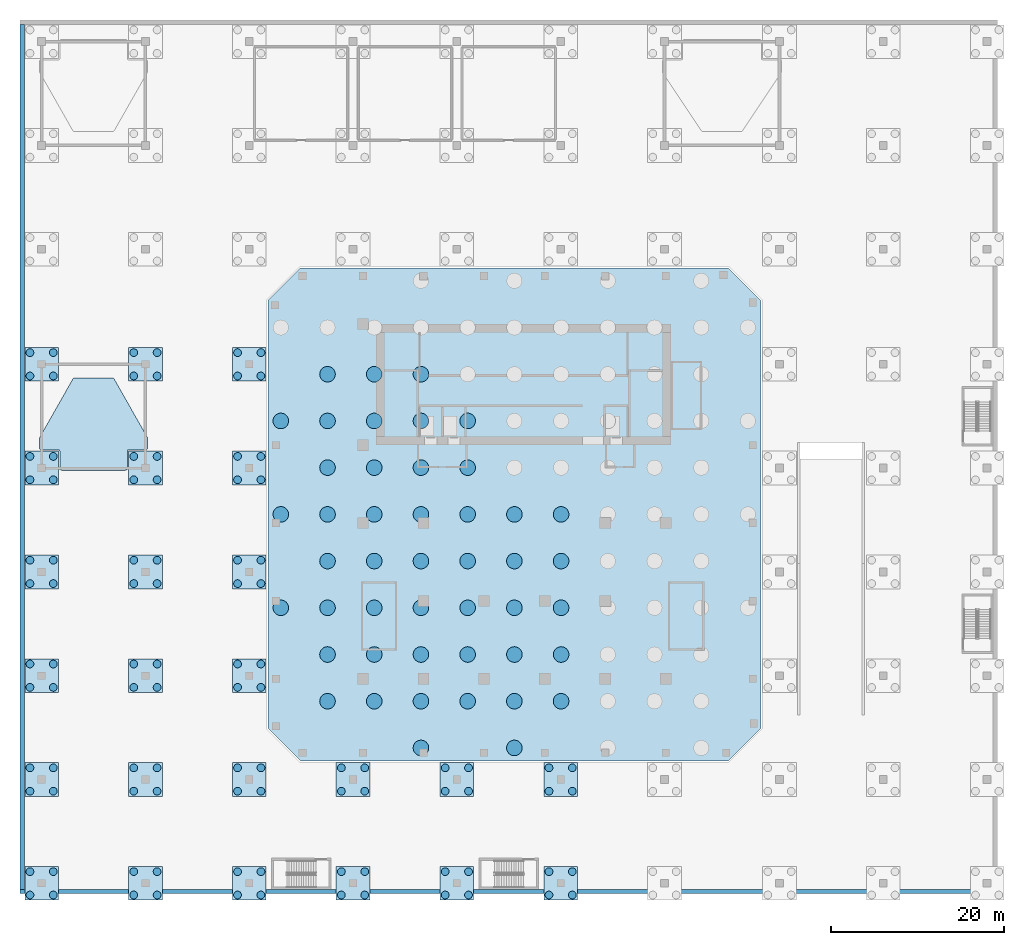
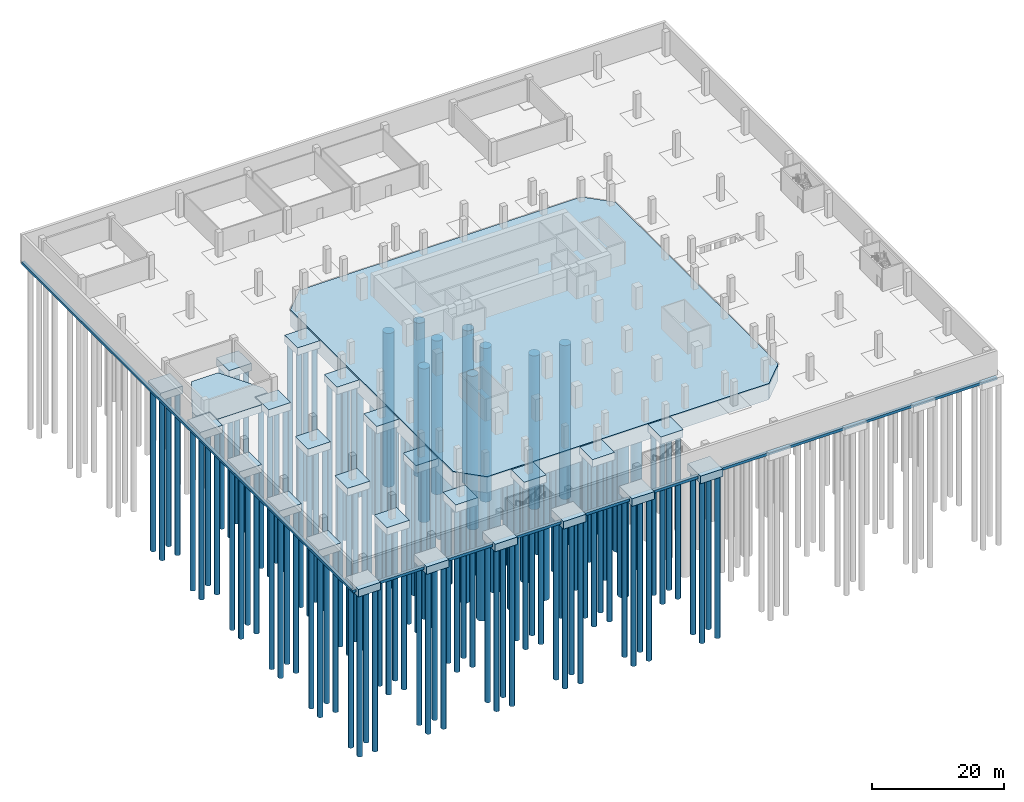
# One storey, part 1 of 15: 142 piles, 28 footings.
"""IFC4 building model written with IfcOpenShell, lengths in metres."""

import ifcopenshell
import ifcopenshell.guid

model = None  # the IFC model being written
_history = None  # IfcOwnerHistory: only IFC2X3 demands one
_inside = {}  # id of a spatial element -> (the spatial element, [elements in it])
_under = {}  # id of a project, library or spatial element -> (it, [spatial elements below it])
_declared = {}  # id of a project -> (the project, [libraries it declares])
_typed = {}  # id of a type object -> (the type object, [elements of that type])
_made_of = {}  # id of a material, layer set ... -> (it, [elements and type objects made of it])


def new_model(schema):
    """Start an empty IFC model of exactly this schema.

    Asked for "IFC4X3", IfcOpenShell would pick the latest addendum, in which some entities
    have other attributes; the version numbers below select the first issue.
    IFC2X3 requires an IfcOwnerHistory on every rooted entity: one is made here for all.
    """
    global model, _history
    if schema == "IFC4X3":
        model = ifcopenshell.file(schema_version=(4, 3, 0, 0))
    else:
        model = ifcopenshell.file(schema=schema)
    _inside.clear()
    _under.clear()
    _declared.clear()
    _typed.clear()
    _made_of.clear()
    _history = None
    if model.schema == "IFC2X3":
        org = make("IfcOrganization", Name="unknown")
        user = make(
            "IfcPersonAndOrganization",
            ThePerson=make("IfcPerson", FamilyName="unknown"),
            TheOrganization=org,
        )
        app = make(
            "IfcApplication",
            ApplicationDeveloper=org,
            Version="unknown",
            ApplicationFullName="unknown",
            ApplicationIdentifier="unknown",
        )
        _history = make(
            "IfcOwnerHistory",
            OwningUser=user,
            OwningApplication=app,
            ChangeAction="ADDED",
            CreationDate=0,
        )
    return model


def make(cls, **values):
    """One entity of the class cls with the attributes given. An attribute that is None is left unset."""
    return model.create_entity(
        cls, **{name: value for name, value in values.items() if value is not None}
    )


def rooted(cls, **values):
    """An entity with a GlobalId (a new one), such as an element, a storey or a relation."""
    return make(cls, GlobalId=ifcopenshell.guid.new(), OwnerHistory=_history, **values)


def si_unit(unit_type, name, prefix=None):
    """IfcSIUnit, for example si_unit("LENGTHUNIT", "METRE", prefix="MILLI")."""
    return make("IfcSIUnit", UnitType=unit_type, Prefix=prefix, Name=name)


def assignment(units):
    """IfcUnitAssignment: the units of a project."""
    return None if units is None else make("IfcUnitAssignment", Units=units)


def point(xyz):
    """IfcCartesianPoint."""
    return None if xyz is None else make("IfcCartesianPoint", Coordinates=xyz)


def direction(xyz):
    """IfcDirection."""
    return None if xyz is None else make("IfcDirection", DirectionRatios=xyz)


def frame(location, z_axis=None, x_axis=None):
    """IfcAxis2Placement3D, a coordinate frame: its origin and axes. An axis left out is left unset."""
    return make(
        "IfcAxis2Placement3D",
        Location=point(location),
        Axis=direction(z_axis),
        RefDirection=direction(x_axis),
    )


def frame_2d(location, x_axis=None):
    """IfcAxis2Placement2D, a coordinate frame in the plane: its origin and x axis."""
    return make(
        "IfcAxis2Placement2D", Location=point(location), RefDirection=direction(x_axis)
    )


def origin():
    """The frame at (0, 0, 0) with its axes left unset."""
    return frame((0.0, 0.0, 0.0))


def origin_2d():
    """The frame at (0, 0) in the plane with its x axis left unset."""
    return frame_2d((0.0, 0.0))


def place(relative_to, where):
    """IfcLocalPlacement: puts the frame where relative to a parent placement (None: the world)."""
    return make(
        "IfcLocalPlacement", PlacementRelTo=relative_to, RelativePlacement=where
    )


def context(
    kind, dimensions, precision=None, world=None, true_north=None, identifier=None
):
    """IfcGeometricRepresentationContext, for example the 3D "Model" context."""
    return make(
        "IfcGeometricRepresentationContext",
        ContextIdentifier=identifier,
        ContextType=kind,
        CoordinateSpaceDimension=dimensions,
        Precision=precision,
        WorldCoordinateSystem=world,
        TrueNorth=true_north,
    )


def subcontext(parent, identifier, kind, view, scale=None):
    """IfcGeometricRepresentationSubContext, for example "Body" below "Model"."""
    return make(
        "IfcGeometricRepresentationSubContext",
        ContextIdentifier=identifier,
        ContextType=kind,
        ParentContext=parent,
        TargetScale=scale,
        TargetView=view,
    )


def project(units=None, contexts=None):
    """IfcProject with its units and contexts."""
    return rooted(
        "IfcProject",
        Name="project",
        RepresentationContexts=contexts,
        UnitsInContext=assignment(units),
    )


def spatial(cls, under=None, at=None, **own):
    """A site, building, storey or space (cls), placed at a placement, below another one or the project."""
    s = rooted(cls, ObjectPlacement=at, **own)
    if under is not None:
        _under.setdefault(under.id(), (under, []))[1].append(s)
    return s


def polyline(points):
    """IfcPolyline through the points."""
    return make("IfcPolyline", Points=[point(p) for p in points])


def profile(cls, at=None, kind="AREA", **sizes):
    """A parametric profile (cls). Its sizes go by their IFC names, for example OverallWidth=200.0."""
    return make(cls, ProfileType=kind, Position=at, **sizes)


def rectangle(**sizes):
    """IfcRectangleProfileDef."""
    return profile("IfcRectangleProfileDef", **sizes)


def circle(**sizes):
    """IfcCircleProfileDef."""
    return profile("IfcCircleProfileDef", **sizes)


def outline(outer, holes=None, kind="AREA"):
    """IfcArbitraryClosedProfileDef: a profile drawn as a closed curve; with holes, ...WithVoids."""
    if holes is None:
        return make("IfcArbitraryClosedProfileDef", ProfileType=kind, OuterCurve=outer)
    return make(
        "IfcArbitraryProfileDefWithVoids",
        ProfileType=kind,
        OuterCurve=outer,
        InnerCurves=holes,
    )


def extrude(swept, where, along, depth):
    """IfcExtrudedAreaSolid: the profile swept, set in the frame where, extruded along a direction by depth."""
    return make(
        "IfcExtrudedAreaSolid",
        SweptArea=swept,
        Position=where,
        ExtrudedDirection=direction(along),
        Depth=depth,
    )


def shape(context_of_items, identifier, shape_type, items):
    """IfcShapeRepresentation: the items that make up one representation, for example the "Body"."""
    return make(
        "IfcShapeRepresentation",
        ContextOfItems=context_of_items,
        RepresentationIdentifier=identifier,
        RepresentationType=shape_type,
        Items=items,
    )


def source(mapping_origin, context_of_items, identifier, shape_type, items):
    """IfcRepresentationMap: a shape defined once, which mapped items show again and again."""
    return make(
        "IfcRepresentationMap",
        MappingOrigin=mapping_origin,
        MappedRepresentation=shape(context_of_items, identifier, shape_type, items),
    )


def transform(
    local_origin,
    x_axis=None,
    y_axis=None,
    z_axis=None,
    scale=None,
    scale2=None,
    scale3=None,
    uniform=True,
):
    """IfcCartesianTransformationOperator3D, or its non-uniform kind. x_axis, y_axis, z_axis: its Axis1, 2, 3."""
    if uniform:
        return make(
            "IfcCartesianTransformationOperator3D",
            Axis1=direction(x_axis),
            Axis2=direction(y_axis),
            LocalOrigin=point(local_origin),
            Scale=scale,
            Axis3=direction(z_axis),
        )
    return make(
        "IfcCartesianTransformationOperator3DnonUniform",
        Axis1=direction(x_axis),
        Axis2=direction(y_axis),
        LocalOrigin=point(local_origin),
        Scale=scale,
        Axis3=direction(z_axis),
        Scale2=scale2,
        Scale3=scale3,
    )


def mapped(mapping_source, mapping_target):
    """IfcMappedItem: shows the shape of a source again, moved by a transform."""
    return make(
        "IfcMappedItem", MappingSource=mapping_source, MappingTarget=mapping_target
    )


def material(Name=None, Category=None):
    """IfcMaterial."""
    return make("IfcMaterial", Name=Name, Category=Category)


def layer(
    of_material, thickness, ventilated=None, Name=None, Category=None, Priority=None
):
    """IfcMaterialLayer: one layer of a wall or slab, of a material (None: an air gap)."""
    return make(
        "IfcMaterialLayer",
        Material=of_material,
        LayerThickness=thickness,
        IsVentilated=ventilated,
        Name=Name,
        Category=Category,
        Priority=Priority,
    )


def layer_set(layers, Name=None):
    """IfcMaterialLayerSet."""
    return make("IfcMaterialLayerSet", MaterialLayers=layers, LayerSetName=Name)


def material_profile(
    of_material, cross_section, Name=None, Category=None, Priority=None
):
    """IfcMaterialProfile: a cross section and its material."""
    return make(
        "IfcMaterialProfile",
        Name=Name,
        Material=of_material,
        Profile=cross_section,
        Priority=Priority,
        Category=Category,
    )


def profile_set(profiles, Name=None, composite=None):
    """IfcMaterialProfileSet."""
    return make(
        "IfcMaterialProfileSet",
        Name=Name,
        MaterialProfiles=profiles,
        CompositeProfile=composite,
    )


def made_of(thing, what):
    """Note that an element or type object is made of a material, layer set ...; save() writes the relation."""
    if what is not None:
        _made_of.setdefault(what.id(), (what, []))[1].append(thing)
    return thing


def type_object(cls, material=None, **own):
    """A type object (cls), such as IfcWallType, which elements share."""
    return made_of(rooted(cls, **own), material)


def element(
    cls,
    number,
    at=None,
    inside=None,
    cuts=None,
    type_object=None,
    material=None,
    context=None,
    identifier="Body",
    shape_type=None,
    held_by="IfcProductDefinitionShape",
    body=None,
    shapes=None,
    **own,
):
    """One element of the class cls, such as IfcWall. Its Tag is "e" and its number.

    at: its placement. inside: the storey or other place that contains it. cuts: it is an
    opening in that element (IfcRelVoidsElement). A single representation is given by context,
    identifier, shape_type and body (its items); several are given by shapes. held_by: the class
    of the entity that holds the representations. save() writes the other relations.
    """
    e = rooted(cls, Tag="e%d" % number, ObjectPlacement=at, **own)
    if body is not None:
        shapes = [shape(context, identifier, shape_type, body)]
    if shapes is not None:
        e.Representation = make(held_by, Representations=shapes)
    if inside is not None:
        _inside.setdefault(inside.id(), (inside, []))[1].append(e)
    if cuts is not None:
        rooted(
            "IfcRelVoidsElement", RelatingBuildingElement=cuts, RelatedOpeningElement=e
        )
    if type_object is not None:
        _typed.setdefault(type_object.id(), (type_object, []))[1].append(e)
    return made_of(e, material)


def aggregate(whole, parts):
    """IfcRelAggregates: a whole, such as a stair, and the parts it consists of."""
    return rooted("IfcRelAggregates", RelatingObject=whole, RelatedObjects=parts)


def save(model, path):
    """Write the relations noted so far, then the file.

    IfcRelAggregates (storeys below a building ...), IfcRelContainedInSpatialStructure (elements
    in a storey), IfcRelDefinesByType, IfcRelAssociatesMaterial and IfcRelDeclares: one each for
    every whole, place, type object, material and project.
    """
    for whole, parts in _under.values():
        aggregate(whole, parts)
    for where, things in _inside.values():
        rooted(
            "IfcRelContainedInSpatialStructure",
            RelatedElements=things,
            RelatingStructure=where,
        )
    for kind, things in _typed.values():
        rooted("IfcRelDefinesByType", RelatedObjects=things, RelatingType=kind)
    for what, things in _made_of.values():
        rooted("IfcRelAssociatesMaterial", RelatedObjects=things, RelatingMaterial=what)
    for by, libraries in _declared.values():
        rooted("IfcRelDeclares", RelatingContext=by, RelatedDefinitions=libraries)
    model.write(path)


model = new_model("IFC4")

# Units and contexts
model_context = context("Model", 3, precision=1e-05, world=origin(), true_north=direction((0.0, 1.0)))
body_context = subcontext(model_context, "Body", "Model", "MODEL_VIEW")
ifc_project = project(units=[si_unit("LENGTHUNIT", "METRE"), si_unit("AREAUNIT", "SQUARE_METRE"), si_unit("VOLUMEUNIT", "CUBIC_METRE"), si_unit("PLANEANGLEUNIT", "RADIAN"), si_unit("MASSUNIT", "GRAM", prefix="KILO")], contexts=[model_context])

# Site, building, storey
site_placement = place(None, origin())
site = spatial("IfcSite", under=ifc_project, at=site_placement, CompositionType="ELEMENT")
building_placement = place(site_placement, origin())
building = spatial("IfcBuilding", under=site, at=building_placement, Name="Kilnfold Tower and Market Hall", CompositionType="ELEMENT")
storey_placement = place(building_placement, frame((0.0, 0.0, -9.0)))
storey = spatial("IfcBuildingStorey", under=building, at=storey_placement, Name="B2", CompositionType="ELEMENT", Elevation=-9.0)

# Footing
ifc_material_1 = material(Name="Concrete C45", Category="concrete")
ifc_layer_1 = layer(ifc_material_1, 3.0)
ifc_layer_set_1 = layer_set([ifc_layer_1], Name="Concrete C45")
footing_type_1 = type_object("IfcFootingType", Name="RAFT", PredefinedType="USERDEFINED", material=ifc_layer_set_1)
shared_shape_1 = source(origin(), body_context, "Body", "SweptSolid", [
    extrude(outline(polyline([(-24.70703125, -28.5), (24.70703125, -28.5), (28.5, -24.70703125), (28.5, 24.70703125), (24.70703125, 28.5), (-24.70703125, 28.5), (-28.5, 24.70703125), (-28.5, -24.70703125), (-24.70703125, -28.5)])), origin(), (0.0, 0.0, 1.0), 3.0),
])
footing_1_placement = place(storey_placement, frame((0.0, 0.0, -3.0)))
element("IfcFooting", 1, at=footing_1_placement, inside=storey, type_object=footing_type_1, Name="Raft foundation", ObjectType="RAFT", PredefinedType="USERDEFINED", context=body_context, shape_type="MappedRepresentation", body=[
    mapped(shared_shape_1, transform((0.0, 0.0, 0.0))),
])

# Piles
ifc_material_2 = material(Name="Concrete C40", Category="concrete")
ifc_material_profile_1 = material_profile(ifc_material_2, circle(Radius=0.89990234375, at=origin_2d()), Name="RC D1800")
ifc_profile_set_1 = profile_set([ifc_material_profile_1], Name="Concrete C40")
pile_type_1 = type_object("IfcPileType", Name="BORED PILE D1800", PredefinedType="BORED", material=ifc_profile_set_1)
shared_shape_2 = source(origin(), body_context, "Body", "SweptSolid", [
    extrude(circle(Radius=0.89990234375, at=origin_2d()), origin(), (0.0, 0.0, 1.0), 28.5),
])
for number, where, z_axis, x_axis, name in (
    (2, (-27.0, -10.800048828125, -2.925048828125), (0.0, 0.0, -1.0), (1.0, 0.0, 0.0), "Bored pile P1"),
    (3, (-27.0, 0.0, -2.925048828125), (0.0, 0.0, -1.0), (1.0, 0.0, 0.0), "Bored pile P2"),
    (4, (-27.0, 10.800048828125, -2.925048828125), (0.0, 0.0, -1.0), (1.0, 0.0, 0.0), "Bored pile P3"),
    (5, (-21.60009765625, -21.60009765625, -2.925048828125), (0.0, 0.0, -1.0), (1.0, 0.0, 0.0), "Bored pile P5"),
    (6, (-21.60009765625, -16.199951171875, -2.925048828125), (0.0, 0.0, -1.0), (1.0, 0.0, 0.0), "Bored pile P6"),
    (7, (-21.60009765625, -10.800048828125, -2.925048828125), (0.0, 0.0, -1.0), (1.0, 0.0, 0.0), "Bored pile P7"),
    (8, (-21.60009765625, -5.39990234375, -2.925048828125), (0.0, 0.0, -1.0), (1.0, 0.0, 0.0), "Bored pile P8"),
    (9, (-21.60009765625, 0.0, -2.925048828125), (0.0, 0.0, -1.0), (1.0, 0.0, 0.0), "Bored pile P9"),
    (10, (-21.60009765625, 5.39990234375, -2.925048828125), (0.0, 0.0, -1.0), (1.0, 0.0, 0.0), "Bored pile P10"),
    (11, (-21.60009765625, 10.800048828125, -2.925048828125), (0.0, 0.0, -1.0), (1.0, 0.0, 0.0), "Bored pile P11"),
    (12, (-21.60009765625, 16.199951171875, -2.925048828125), (0.0, 0.0, -1.0), (1.0, 0.0, 0.0), "Bored pile P12"),
    (13, (-16.199951171875, -21.60009765625, -2.925048828125), (0.0, 0.0, -1.0), (1.0, 0.0, 0.0), "Bored pile P14"),
    (14, (-16.199951171875, -16.199951171875, -2.925048828125), (0.0, 0.0, -1.0), (1.0, 0.0, 0.0), "Bored pile P15"),
    (15, (-16.199951171875, -10.800048828125, -2.925048828125), (0.0, 0.0, -1.0), (1.0, 0.0, 0.0), "Bored pile P16"),
    (16, (-16.199951171875, -5.39990234375, -2.925048828125), (0.0, 0.0, -1.0), (1.0, 0.0, 0.0), "Bored pile P17"),
    (17, (-16.199951171875, 0.0, -2.925048828125), (0.0, 0.0, -1.0), (1.0, 0.0, 0.0), "Bored pile P18"),
    (18, (-16.199951171875, 5.39990234375, -2.925048828125), (0.0, 0.0, -1.0), (1.0, 0.0, 0.0), "Bored pile P19"),
    (19, (-16.199951171875, 10.800048828125, -2.925048828125), (0.0, 0.0, -1.0), (1.0, 0.0, 0.0), "Bored pile P20"),
    (20, (-16.199951171875, 16.199951171875, -2.925048828125), (0.0, 0.0, -1.0), (1.0, 0.0, 0.0), "Bored pile P21"),
    (21, (-10.800048828125, -27.0, -2.925048828125), (0.0, 0.0, -1.0), (1.0, 0.0, 0.0), "Bored pile P23"),
    (22, (-10.800048828125, -21.60009765625, -2.925048828125), (0.0, 0.0, -1.0), (1.0, 0.0, 0.0), "Bored pile P24"),
    (23, (-10.800048828125, -16.199951171875, -2.925048828125), (0.0, 0.0, -1.0), (1.0, 0.0, 0.0), "Bored pile P25"),
    (24, (-10.800048828125, -10.800048828125, -2.925048828125), (0.0, 0.0, -1.0), (1.0, 0.0, 0.0), "Bored pile P26"),
    (25, (-10.800048828125, -5.39990234375, -2.925048828125), (0.0, 0.0, -1.0), (1.0, 0.0, 0.0), "Bored pile P27"),
    (26, (-10.800048828125, 0.0, -2.925048828125), (0.0, 0.0, -1.0), (1.0, 0.0, 0.0), "Bored pile P28"),
    (27, (-10.800048828125, 5.39990234375, -2.925048828125), (0.0, 0.0, -1.0), (1.0, 0.0, 0.0), "Bored pile P29"),
    (28, (-10.800048828125, 10.800048828125, -2.925048828125), (0.0, 0.0, -1.0), (1.0, 0.0, 0.0), "Bored pile P30"),
    (29, (-10.800048828125, 16.199951171875, -2.925048828125), (0.0, 0.0, -1.0), (1.0, 0.0, 0.0), "Bored pile P31"),
    (30, (-5.39990234375, -21.60009765625, -2.925048828125), (0.0, 0.0, -1.0), (1.0, 0.0, 0.0), "Bored pile P34"),
    (31, (-5.39990234375, -16.199951171875, -2.925048828125), (0.0, 0.0, -1.0), (1.0, 0.0, 0.0), "Bored pile P35"),
    (32, (-5.39990234375, -10.800048828125, -2.925048828125), (0.0, 0.0, -1.0), (1.0, 0.0, 0.0), "Bored pile P36"),
    (33, (-5.39990234375, -5.39990234375, -2.925048828125), (0.0, 0.0, -1.0), (1.0, 0.0, 0.0), "Bored pile P37"),
    (34, (-5.39990234375, 0.0, -2.925048828125), (0.0, 0.0, -1.0), (1.0, 0.0, 0.0), "Bored pile P38"),
    (35, (-5.39990234375, 5.39990234375, -2.925048828125), (0.0, 0.0, -1.0), (1.0, 0.0, 0.0), "Bored pile P39"),
    (36, (-5.39990234375, 10.800048828125, -2.925048828125), (0.0, 0.0, -1.0), (1.0, 0.0, 0.0), "Bored pile P40"),
    (37, (0.0, -27.0, -2.925048828125), (0.0, 0.0, -1.0), (1.0, 0.0, 0.0), "Bored pile P43"),
    (38, (0.0, -21.60009765625, -2.925048828125), (0.0, 0.0, -1.0), (1.0, 0.0, 0.0), "Bored pile P44"),
    (39, (0.0, -16.199951171875, -2.925048828125), (0.0, 0.0, -1.0), (1.0, 0.0, 0.0), "Bored pile P45"),
    (40, (0.0, -10.800048828125, -2.925048828125), (0.0, 0.0, -1.0), (1.0, 0.0, 0.0), "Bored pile P46"),
    (41, (0.0, -5.39990234375, -2.925048828125), (0.0, 0.0, -1.0), (1.0, 0.0, 0.0), "Bored pile P47"),
    (42, (0.0, 0.0, -2.925048828125), (0.0, 0.0, -1.0), (1.0, 0.0, 0.0), "Bored pile P48"),
    (43, (5.39990234375, -21.60009765625, -2.925048828125), (0.0, 0.0, -1.0), (1.0, 0.0, 0.0), "Bored pile P54"),
    (44, (5.39990234375, -16.199951171875, -2.925048828125), (0.0, 0.0, -1.0), (1.0, 0.0, 0.0), "Bored pile P55"),
    (45, (5.39990234375, -10.800048828125, -2.925048828125), (0.0, 0.0, -1.0), (1.0, 0.0, 0.0), "Bored pile P56"),
    (46, (5.39990234375, -5.39990234375, -2.925048828125), (0.0, 0.0, -1.0), (1.0, 0.0, 0.0), "Bored pile P57"),
    (47, (5.39990234375, 0.0, -2.925048828125), (0.0, 0.0, -1.0), (1.0, 0.0, 0.0), "Bored pile P58"),
):
    element("IfcPile", number, at=place(storey_placement, frame(where, z_axis=z_axis, x_axis=x_axis)), inside=storey, type_object=pile_type_1, Name=name, PredefinedType="BORED", context=body_context, shape_type="MappedRepresentation", body=[
        mapped(shared_shape_2, transform((0.0, 0.0, 0.0))),
    ])

# Footings
ifc_material_3 = material(Name="Concrete C40/50", Category="concrete")
footing_type_2 = type_object("IfcFootingType", Name="HALL PILE CAP 3900X3900X1400", PredefinedType="PILE_CAP", material=ifc_material_3)
shared_shape_3 = source(origin(), body_context, "Body", "SweptSolid", [
    extrude(rectangle(XDim=3.89990234375, YDim=3.89990234375, at=origin_2d()), origin(), (0.0, 0.0, 1.0), 1.39990234375),
])
for number, where, z_axis, x_axis, name in (
    (48, (-54.64990234375, -42.64990234375, -1.39990234375), (0.0, 0.0, 1.0), (1.0, 0.0, 0.0), "Pile cap PC1"),
    (49, (-54.64990234375, -30.64990234375, -1.39990234375), (0.0, 0.0, 1.0), (1.0, 0.0, 0.0), "Pile cap PC2"),
    (50, (-54.64990234375, -18.64990234375, -1.39990234375), (0.0, 0.0, 1.0), (1.0, 0.0, 0.0), "Pile cap PC3"),
    (51, (-54.64990234375, -6.64990234375, -1.39990234375), (0.0, 0.0, 1.0), (1.0, 0.0, 0.0), "Pile cap PC4"),
    (52, (-54.64990234375, 5.35009765625, -1.39990234375), (0.0, 0.0, 1.0), (1.0, 0.0, 0.0), "Pile cap PC5"),
    (53, (-54.64990234375, 17.35009765625, -1.39990234375), (0.0, 0.0, 1.0), (1.0, 0.0, 0.0), "Pile cap PC6"),
    (54, (-42.64990234375, -42.64990234375, -1.39990234375), (0.0, 0.0, 1.0), (1.0, 0.0, 0.0), "Pile cap PC10"),
    (55, (-42.64990234375, -30.64990234375, -1.39990234375), (0.0, 0.0, 1.0), (1.0, 0.0, 0.0), "Pile cap PC11"),
    (56, (-42.64990234375, -18.64990234375, -1.39990234375), (0.0, 0.0, 1.0), (1.0, 0.0, 0.0), "Pile cap PC12"),
    (57, (-42.64990234375, -6.64990234375, -1.39990234375), (0.0, 0.0, 1.0), (1.0, 0.0, 0.0), "Pile cap PC13"),
    (58, (-42.64990234375, 5.35009765625, -1.39990234375), (0.0, 0.0, 1.0), (1.0, 0.0, 0.0), "Pile cap PC14"),
    (59, (-42.64990234375, 17.35009765625, -1.39990234375), (0.0, 0.0, 1.0), (1.0, 0.0, 0.0), "Pile cap PC15"),
    (60, (-30.64990234375, -42.64990234375, -1.39990234375), (0.0, 0.0, 1.0), (1.0, 0.0, 0.0), "Pile cap PC19"),
    (61, (-30.64990234375, -30.64990234375, -1.39990234375), (0.0, 0.0, 1.0), (1.0, 0.0, 0.0), "Pile cap PC20"),
    (62, (-30.64990234375, -18.64990234375, -1.39990234375), (0.0, 0.0, 1.0), (1.0, 0.0, 0.0), "Pile cap PC21"),
    (63, (-30.64990234375, -6.64990234375, -1.39990234375), (0.0, 0.0, 1.0), (1.0, 0.0, 0.0), "Pile cap PC22"),
    (64, (-30.64990234375, 5.35009765625, -1.39990234375), (0.0, 0.0, 1.0), (1.0, 0.0, 0.0), "Pile cap PC23"),
    (65, (-30.64990234375, 17.35009765625, -1.39990234375), (0.0, 0.0, 1.0), (1.0, 0.0, 0.0), "Pile cap PC24"),
    (66, (-18.64990234375, -42.64990234375, -1.39990234375), (0.0, 0.0, 1.0), (1.0, 0.0, 0.0), "Pile cap PC28"),
    (67, (-18.64990234375, -30.64990234375, -1.39990234375), (0.0, 0.0, 1.0), (1.0, 0.0, 0.0), "Pile cap PC29"),
    (68, (-6.64990234375, -42.64990234375, -1.39990234375), (0.0, 0.0, 1.0), (1.0, 0.0, 0.0), "Pile cap PC33"),
    (69, (-6.64990234375, -30.64990234375, -1.39990234375), (0.0, 0.0, 1.0), (1.0, 0.0, 0.0), "Pile cap PC34"),
    (70, (5.35009765625, -42.64990234375, -1.39990234375), (0.0, 0.0, 1.0), (1.0, 0.0, 0.0), "Pile cap PC38"),
    (71, (5.35009765625, -30.64990234375, -1.39990234375), (0.0, 0.0, 1.0), (1.0, 0.0, 0.0), "Pile cap PC39"),
):
    element("IfcFooting", number, at=place(storey_placement, frame(where, z_axis=z_axis, x_axis=x_axis)), inside=storey, type_object=footing_type_2, Name=name, PredefinedType="PILE_CAP", context=body_context, shape_type="MappedRepresentation", body=[
        mapped(shared_shape_3, transform((0.0, 0.0, 0.0))),
    ])

# Piles
ifc_material_4 = material(Name="Concrete C40/50", Category="concrete")
ifc_material_profile_2 = material_profile(ifc_material_4, circle(Radius=0.449951171875, at=origin_2d()), Name="D900")
ifc_profile_set_2 = profile_set([ifc_material_profile_2], Name="Concrete C40/50")
pile_type_2 = type_object("IfcPileType", Name="HALL BORED PILE D900", PredefinedType="BORED", material=ifc_profile_set_2)
shared_shape_4 = source(origin(), body_context, "Body", "SweptSolid", [
    extrude(circle(Radius=0.449951171875, at=origin_2d()), origin(), (0.0, 0.0, 1.0), 30.0),
])
for number, where, z_axis, x_axis, name in (
    (72, (-56.0, -44.0, -1.300048828125), (0.0, 0.0, -1.0), (1.0, 0.0, 0.0), "Bored pile HP1"),
    (73, (-56.0, -41.300048828125, -1.300048828125), (0.0, 0.0, -1.0), (1.0, 0.0, 0.0), "Bored pile HP2"),
    (74, (-53.300048828125, -44.0, -1.300048828125), (0.0, 0.0, -1.0), (1.0, 0.0, 0.0), "Bored pile HP3"),
    (75, (-53.300048828125, -41.300048828125, -1.300048828125), (0.0, 0.0, -1.0), (1.0, 0.0, 0.0), "Bored pile HP4"),
    (76, (-56.0, -32.0, -1.300048828125), (0.0, 0.0, -1.0), (1.0, 0.0, 0.0), "Bored pile HP5"),
    (77, (-56.0, -29.300048828125, -1.300048828125), (0.0, 0.0, -1.0), (1.0, 0.0, 0.0), "Bored pile HP6"),
    (78, (-53.300048828125, -32.0, -1.300048828125), (0.0, 0.0, -1.0), (1.0, 0.0, 0.0), "Bored pile HP7"),
    (79, (-53.300048828125, -29.300048828125, -1.300048828125), (0.0, 0.0, -1.0), (1.0, 0.0, 0.0), "Bored pile HP8"),
    (80, (-56.0, -20.0, -1.300048828125), (0.0, 0.0, -1.0), (1.0, 0.0, 0.0), "Bored pile HP9"),
    (81, (-56.0, -17.300048828125, -1.300048828125), (0.0, 0.0, -1.0), (1.0, 0.0, 0.0), "Bored pile HP10"),
    (82, (-53.300048828125, -20.0, -1.300048828125), (0.0, 0.0, -1.0), (1.0, 0.0, 0.0), "Bored pile HP11"),
    (83, (-53.300048828125, -17.300048828125, -1.300048828125), (0.0, 0.0, -1.0), (1.0, 0.0, 0.0), "Bored pile HP12"),
    (84, (-56.0, -8.0, -1.300048828125), (0.0, 0.0, -1.0), (1.0, 0.0, 0.0), "Bored pile HP13"),
    (85, (-56.0, -5.300048828125, -1.300048828125), (0.0, 0.0, -1.0), (1.0, 0.0, 0.0), "Bored pile HP14"),
    (86, (-53.300048828125, -8.0, -1.300048828125), (0.0, 0.0, -1.0), (1.0, 0.0, 0.0), "Bored pile HP15"),
    (87, (-53.300048828125, -5.300048828125, -1.300048828125), (0.0, 0.0, -1.0), (1.0, 0.0, 0.0), "Bored pile HP16"),
    (88, (-56.0, 4.0, -1.300048828125), (0.0, 0.0, -1.0), (1.0, 0.0, 0.0), "Bored pile HP17"),
    (89, (-56.0, 6.699951171875, -1.300048828125), (0.0, 0.0, -1.0), (1.0, 0.0, 0.0), "Bored pile HP18"),
    (90, (-53.300048828125, 4.0, -1.300048828125), (0.0, 0.0, -1.0), (1.0, 0.0, 0.0), "Bored pile HP19"),
    (91, (-53.300048828125, 6.699951171875, -1.300048828125), (0.0, 0.0, -1.0), (1.0, 0.0, 0.0), "Bored pile HP20"),
    (92, (-56.0, 16.0, -1.300048828125), (0.0, 0.0, -1.0), (1.0, 0.0, 0.0), "Bored pile HP21"),
    (93, (-56.0, 18.699951171875, -1.300048828125), (0.0, 0.0, -1.0), (1.0, 0.0, 0.0), "Bored pile HP22"),
    (94, (-53.300048828125, 16.0, -1.300048828125), (0.0, 0.0, -1.0), (1.0, 0.0, 0.0), "Bored pile HP23"),
    (95, (-53.300048828125, 18.699951171875, -1.300048828125), (0.0, 0.0, -1.0), (1.0, 0.0, 0.0), "Bored pile HP24"),
    (96, (-44.0, -44.0, -1.300048828125), (0.0, 0.0, -1.0), (1.0, 0.0, 0.0), "Bored pile HP37"),
    (97, (-44.0, -41.300048828125, -1.300048828125), (0.0, 0.0, -1.0), (1.0, 0.0, 0.0), "Bored pile HP38"),
    (98, (-41.300048828125, -44.0, -1.300048828125), (0.0, 0.0, -1.0), (1.0, 0.0, 0.0), "Bored pile HP39"),
    (99, (-41.300048828125, -41.300048828125, -1.300048828125), (0.0, 0.0, -1.0), (1.0, 0.0, 0.0), "Bored pile HP40"),
    (100, (-44.0, -32.0, -1.300048828125), (0.0, 0.0, -1.0), (1.0, 0.0, 0.0), "Bored pile HP41"),
    (101, (-44.0, -29.300048828125, -1.300048828125), (0.0, 0.0, -1.0), (1.0, 0.0, 0.0), "Bored pile HP42"),
    (102, (-41.300048828125, -32.0, -1.300048828125), (0.0, 0.0, -1.0), (1.0, 0.0, 0.0), "Bored pile HP43"),
    (103, (-41.300048828125, -29.300048828125, -1.300048828125), (0.0, 0.0, -1.0), (1.0, 0.0, 0.0), "Bored pile HP44"),
    (104, (-44.0, -20.0, -1.300048828125), (0.0, 0.0, -1.0), (1.0, 0.0, 0.0), "Bored pile HP45"),
    (105, (-44.0, -17.300048828125, -1.300048828125), (0.0, 0.0, -1.0), (1.0, 0.0, 0.0), "Bored pile HP46"),
    (106, (-41.300048828125, -20.0, -1.300048828125), (0.0, 0.0, -1.0), (1.0, 0.0, 0.0), "Bored pile HP47"),
    (107, (-41.300048828125, -17.300048828125, -1.300048828125), (0.0, 0.0, -1.0), (1.0, 0.0, 0.0), "Bored pile HP48"),
    (108, (-44.0, -8.0, -1.300048828125), (0.0, 0.0, -1.0), (1.0, 0.0, 0.0), "Bored pile HP49"),
    (109, (-44.0, -5.300048828125, -1.300048828125), (0.0, 0.0, -1.0), (1.0, 0.0, 0.0), "Bored pile HP50"),
    (110, (-41.300048828125, -8.0, -1.300048828125), (0.0, 0.0, -1.0), (1.0, 0.0, 0.0), "Bored pile HP51"),
    (111, (-41.300048828125, -5.300048828125, -1.300048828125), (0.0, 0.0, -1.0), (1.0, 0.0, 0.0), "Bored pile HP52"),
    (112, (-44.0, 4.0, -1.300048828125), (0.0, 0.0, -1.0), (1.0, 0.0, 0.0), "Bored pile HP53"),
    (113, (-44.0, 6.699951171875, -1.300048828125), (0.0, 0.0, -1.0), (1.0, 0.0, 0.0), "Bored pile HP54"),
    (114, (-41.300048828125, 4.0, -1.300048828125), (0.0, 0.0, -1.0), (1.0, 0.0, 0.0), "Bored pile HP55"),
    (115, (-41.300048828125, 6.699951171875, -1.300048828125), (0.0, 0.0, -1.0), (1.0, 0.0, 0.0), "Bored pile HP56"),
    (116, (-44.0, 16.0, -1.300048828125), (0.0, 0.0, -1.0), (1.0, 0.0, 0.0), "Bored pile HP57"),
    (117, (-44.0, 18.699951171875, -1.300048828125), (0.0, 0.0, -1.0), (1.0, 0.0, 0.0), "Bored pile HP58"),
    (118, (-41.300048828125, 16.0, -1.300048828125), (0.0, 0.0, -1.0), (1.0, 0.0, 0.0), "Bored pile HP59"),
    (119, (-41.300048828125, 18.699951171875, -1.300048828125), (0.0, 0.0, -1.0), (1.0, 0.0, 0.0), "Bored pile HP60"),
    (120, (-32.0, -44.0, -1.300048828125), (0.0, 0.0, -1.0), (1.0, 0.0, 0.0), "Bored pile HP73"),
    (121, (-32.0, -41.300048828125, -1.300048828125), (0.0, 0.0, -1.0), (1.0, 0.0, 0.0), "Bored pile HP74"),
    (122, (-29.300048828125, -44.0, -1.300048828125), (0.0, 0.0, -1.0), (1.0, 0.0, 0.0), "Bored pile HP75"),
    (123, (-29.300048828125, -41.300048828125, -1.300048828125), (0.0, 0.0, -1.0), (1.0, 0.0, 0.0), "Bored pile HP76"),
    (124, (-32.0, -32.0, -1.300048828125), (0.0, 0.0, -1.0), (1.0, 0.0, 0.0), "Bored pile HP77"),
    (125, (-32.0, -29.300048828125, -1.300048828125), (0.0, 0.0, -1.0), (1.0, 0.0, 0.0), "Bored pile HP78"),
    (126, (-29.300048828125, -32.0, -1.300048828125), (0.0, 0.0, -1.0), (1.0, 0.0, 0.0), "Bored pile HP79"),
    (127, (-29.300048828125, -29.300048828125, -1.300048828125), (0.0, 0.0, -1.0), (1.0, 0.0, 0.0), "Bored pile HP80"),
    (128, (-32.0, -20.0, -1.300048828125), (0.0, 0.0, -1.0), (1.0, 0.0, 0.0), "Bored pile HP81"),
    (129, (-32.0, -17.300048828125, -1.300048828125), (0.0, 0.0, -1.0), (1.0, 0.0, 0.0), "Bored pile HP82"),
    (130, (-29.300048828125, -20.0, -1.300048828125), (0.0, 0.0, -1.0), (1.0, 0.0, 0.0), "Bored pile HP83"),
    (131, (-29.300048828125, -17.300048828125, -1.300048828125), (0.0, 0.0, -1.0), (1.0, 0.0, 0.0), "Bored pile HP84"),
    (132, (-32.0, -8.0, -1.300048828125), (0.0, 0.0, -1.0), (1.0, 0.0, 0.0), "Bored pile HP85"),
    (133, (-32.0, -5.300048828125, -1.300048828125), (0.0, 0.0, -1.0), (1.0, 0.0, 0.0), "Bored pile HP86"),
    (134, (-29.300048828125, -8.0, -1.300048828125), (0.0, 0.0, -1.0), (1.0, 0.0, 0.0), "Bored pile HP87"),
    (135, (-29.300048828125, -5.300048828125, -1.300048828125), (0.0, 0.0, -1.0), (1.0, 0.0, 0.0), "Bored pile HP88"),
    (136, (-32.0, 4.0, -1.300048828125), (0.0, 0.0, -1.0), (1.0, 0.0, 0.0), "Bored pile HP89"),
    (137, (-32.0, 6.699951171875, -1.300048828125), (0.0, 0.0, -1.0), (1.0, 0.0, 0.0), "Bored pile HP90"),
    (138, (-29.300048828125, 4.0, -1.300048828125), (0.0, 0.0, -1.0), (1.0, 0.0, 0.0), "Bored pile HP91"),
    (139, (-29.300048828125, 6.699951171875, -1.300048828125), (0.0, 0.0, -1.0), (1.0, 0.0, 0.0), "Bored pile HP92"),
    (140, (-32.0, 16.0, -1.300048828125), (0.0, 0.0, -1.0), (1.0, 0.0, 0.0), "Bored pile HP93"),
    (141, (-32.0, 18.699951171875, -1.300048828125), (0.0, 0.0, -1.0), (1.0, 0.0, 0.0), "Bored pile HP94"),
    (142, (-29.300048828125, 16.0, -1.300048828125), (0.0, 0.0, -1.0), (1.0, 0.0, 0.0), "Bored pile HP95"),
    (143, (-29.300048828125, 18.699951171875, -1.300048828125), (0.0, 0.0, -1.0), (1.0, 0.0, 0.0), "Bored pile HP96"),
    (144, (-20.0, -44.0, -1.300048828125), (0.0, 0.0, -1.0), (1.0, 0.0, 0.0), "Bored pile HP109"),
    (145, (-20.0, -41.300048828125, -1.300048828125), (0.0, 0.0, -1.0), (1.0, 0.0, 0.0), "Bored pile HP110"),
    (146, (-17.300048828125, -44.0, -1.300048828125), (0.0, 0.0, -1.0), (1.0, 0.0, 0.0), "Bored pile HP111"),
    (147, (-17.300048828125, -41.300048828125, -1.300048828125), (0.0, 0.0, -1.0), (1.0, 0.0, 0.0), "Bored pile HP112"),
    (148, (-20.0, -32.0, -1.300048828125), (0.0, 0.0, -1.0), (1.0, 0.0, 0.0), "Bored pile HP113"),
    (149, (-20.0, -29.300048828125, -1.300048828125), (0.0, 0.0, -1.0), (1.0, 0.0, 0.0), "Bored pile HP114"),
    (150, (-17.300048828125, -32.0, -1.300048828125), (0.0, 0.0, -1.0), (1.0, 0.0, 0.0), "Bored pile HP115"),
    (151, (-17.300048828125, -29.300048828125, -1.300048828125), (0.0, 0.0, -1.0), (1.0, 0.0, 0.0), "Bored pile HP116"),
    (152, (-8.0, -44.0, -1.300048828125), (0.0, 0.0, -1.0), (1.0, 0.0, 0.0), "Bored pile HP129"),
    (153, (-8.0, -41.300048828125, -1.300048828125), (0.0, 0.0, -1.0), (1.0, 0.0, 0.0), "Bored pile HP130"),
    (154, (-5.300048828125, -44.0, -1.300048828125), (0.0, 0.0, -1.0), (1.0, 0.0, 0.0), "Bored pile HP131"),
    (155, (-5.300048828125, -41.300048828125, -1.300048828125), (0.0, 0.0, -1.0), (1.0, 0.0, 0.0), "Bored pile HP132"),
    (156, (-8.0, -32.0, -1.300048828125), (0.0, 0.0, -1.0), (1.0, 0.0, 0.0), "Bored pile HP133"),
    (157, (-8.0, -29.300048828125, -1.300048828125), (0.0, 0.0, -1.0), (1.0, 0.0, 0.0), "Bored pile HP134"),
    (158, (-5.300048828125, -32.0, -1.300048828125), (0.0, 0.0, -1.0), (1.0, 0.0, 0.0), "Bored pile HP135"),
    (159, (-5.300048828125, -29.300048828125, -1.300048828125), (0.0, 0.0, -1.0), (1.0, 0.0, 0.0), "Bored pile HP136"),
    (160, (4.0, -44.0, -1.300048828125), (0.0, 0.0, -1.0), (1.0, 0.0, 0.0), "Bored pile HP149"),
    (161, (4.0, -41.300048828125, -1.300048828125), (0.0, 0.0, -1.0), (1.0, 0.0, 0.0), "Bored pile HP150"),
    (162, (6.699951171875, -44.0, -1.300048828125), (0.0, 0.0, -1.0), (1.0, 0.0, 0.0), "Bored pile HP151"),
    (163, (6.699951171875, -41.300048828125, -1.300048828125), (0.0, 0.0, -1.0), (1.0, 0.0, 0.0), "Bored pile HP152"),
    (164, (4.0, -32.0, -1.300048828125), (0.0, 0.0, -1.0), (1.0, 0.0, 0.0), "Bored pile HP153"),
    (165, (4.0, -29.300048828125, -1.300048828125), (0.0, 0.0, -1.0), (1.0, 0.0, 0.0), "Bored pile HP154"),
    (166, (6.699951171875, -32.0, -1.300048828125), (0.0, 0.0, -1.0), (1.0, 0.0, 0.0), "Bored pile HP155"),
    (167, (6.699951171875, -29.300048828125, -1.300048828125), (0.0, 0.0, -1.0), (1.0, 0.0, 0.0), "Bored pile HP156"),
):
    element("IfcPile", number, at=place(storey_placement, frame(where, z_axis=z_axis, x_axis=x_axis)), inside=storey, type_object=pile_type_2, Name=name, PredefinedType="BORED", context=body_context, shape_type="MappedRepresentation", body=[
        mapped(shared_shape_4, transform((0.0, 0.0, 0.0))),
    ])

# Footings
ifc_material_5 = material(Name="Concrete C40/50", Category="concrete")
ifc_layer_2 = layer(ifc_material_5, 1.39990234375)
ifc_layer_set_2 = layer_set([ifc_layer_2], Name="Concrete C40/50")
footing_type_3 = type_object("IfcFootingType", Name="HALL CORE RAFT 1400", PredefinedType="PAD_FOOTING", material=ifc_layer_set_2)
shared_shape_5 = source(origin(), body_context, "Body", "SweptSolid", [
    extrude(outline(polyline([(-52.35009765625, 5.10009765625), (-44.949951171875, 5.10009765625), (-44.930419921875, 5.10107421875), (-44.910888671875, 5.103759765625), (-44.891845703125, 5.108642578125), (-44.87353515625, 5.115234375), (-44.855712890625, 5.12353515625), (-44.8388671875, 5.1337890625), (-44.822998046875, 5.1455078125), (-44.80859375, 5.15869140625), (-44.79541015625, 5.173095703125), (-44.78369140625, 5.18896484375), (-44.773681640625, 5.205810546875), (-44.76513671875, 5.223388671875), (-44.758544921875, 5.241943359375), (-44.75390625, 5.260986328125), (-44.7509765625, 5.280517578125), (-44.75, 5.300048828125), (-44.75, 7.297607421875), (-44.75, 7.302490234375), (-44.74951171875, 7.309814453125), (-44.74853515625, 7.319580078125), (-44.747802734375, 7.324462890625), (-44.745849609375, 7.333984375), (-44.74462890625, 7.3388671875), (-44.741943359375, 7.34814453125), (-44.740234375, 7.352783203125), (-44.736572265625, 7.36181640625), (-44.734375, 7.3662109375), (-44.729736328125, 7.375), (-44.727294921875, 7.379150390625), (-44.7216796875, 7.38720703125), (-44.718994140625, 7.39111328125), (-44.712646484375, 7.398681640625), (-44.70947265625, 7.40234375), (-44.702392578125, 7.409423828125), (-44.69873046875, 7.41259765625), (-44.691162109375, 7.4189453125), (-44.687255859375, 7.421875), (-44.67919921875, 7.42724609375), (-44.6748046875, 7.4296875), (-44.666259765625, 7.434326171875), (-44.661865234375, 7.4365234375), (-44.65283203125, 7.440185546875), (-44.648193359375, 7.44189453125), (-44.638916015625, 7.444580078125), (-44.634033203125, 7.44580078125), (-44.62451171875, 7.44775390625), (-44.61962890625, 7.448486328125), (-44.60986328125, 7.449462890625), (-44.6025390625, 7.449951171875), (-44.597412109375, 7.449951171875), (-42.60009765625, 7.449951171875), (-42.580322265625, 7.450927734375), (-42.56103515625, 7.453857421875), (-42.5419921875, 7.45849609375), (-42.5234375, 7.465087890625), (-42.505615234375, 7.4736328125), (-42.489013671875, 7.483642578125), (-42.47314453125, 7.495361328125), (-42.45849609375, 7.508544921875), (-42.4453125, 7.523193359375), (-42.43359375, 7.538818359375), (-42.423583984375, 7.5556640625), (-42.415283203125, 7.573486328125), (-42.40869140625, 7.591796875), (-42.40380859375, 7.611083984375), (-42.40087890625, 7.63037109375), (-42.39990234375, 7.64990234375), (-42.39990234375, 8.802978515625), (-42.401123046875, 8.823486328125), (-42.404296875, 8.843994140625), (-42.409423828125, 8.864013671875), (-42.416748046875, 8.88330078125), (-42.426025390625, 8.901611328125), (-46.259765625, 15.648681640625), (-46.27001953125, 15.6650390625), (-46.28173828125, 15.68017578125), (-46.294921875, 15.694091796875), (-46.309326171875, 15.706787109375), (-46.32470703125, 15.7177734375), (-46.34130859375, 15.7275390625), (-46.35888671875, 15.735595703125), (-46.376953125, 15.74169921875), (-46.3955078125, 15.746337890625), (-46.41455078125, 15.7490234375), (-46.43359375, 15.75), (-50.866455078125, 15.75), (-50.885498046875, 15.7490234375), (-50.904541015625, 15.746337890625), (-50.923095703125, 15.74169921875), (-50.941162109375, 15.735595703125), (-50.95849609375, 15.7275390625), (-50.97509765625, 15.7177734375), (-50.99072265625, 15.706787109375), (-51.005126953125, 15.694091796875), (-51.018310546875, 15.68017578125), (-51.030029296875, 15.6650390625), (-51.040283203125, 15.648681640625), (-54.873779296875, 8.901611328125), (-54.88330078125, 8.88330078125), (-54.890380859375, 8.864013671875), (-54.895751953125, 8.843994140625), (-54.89892578125, 8.823486328125), (-54.89990234375, 8.802978515625), (-54.89990234375, 7.64990234375), (-54.89892578125, 7.63037109375), (-54.896240234375, 7.611083984375), (-54.891357421875, 7.591796875), (-54.884765625, 7.573486328125), (-54.87646484375, 7.5556640625), (-54.8662109375, 7.538818359375), (-54.8544921875, 7.523193359375), (-54.84130859375, 7.508544921875), (-54.826904296875, 7.495361328125), (-54.81103515625, 7.483642578125), (-54.794189453125, 7.4736328125), (-54.776611328125, 7.465087890625), (-54.758056640625, 7.45849609375), (-54.739013671875, 7.453857421875), (-54.719482421875, 7.450927734375), (-54.699951171875, 7.449951171875), (-52.702392578125, 7.449951171875), (-52.697509765625, 7.449951171875), (-52.690185546875, 7.449462890625), (-52.680419921875, 7.448486328125), (-52.675537109375, 7.44775390625), (-52.666015625, 7.44580078125), (-52.6611328125, 7.444580078125), (-52.65185546875, 7.44189453125), (-52.647216796875, 7.440185546875), (-52.63818359375, 7.4365234375), (-52.6337890625, 7.434326171875), (-52.625, 7.4296875), (-52.620849609375, 7.42724609375), (-52.61279296875, 7.421875), (-52.60888671875, 7.4189453125), (-52.601318359375, 7.41259765625), (-52.59765625, 7.409423828125), (-52.590576171875, 7.40234375), (-52.58740234375, 7.398681640625), (-52.5810546875, 7.39111328125), (-52.578125, 7.38720703125), (-52.57275390625, 7.379150390625), (-52.5703125, 7.375), (-52.565673828125, 7.3662109375), (-52.5634765625, 7.36181640625), (-52.559814453125, 7.352783203125), (-52.55810546875, 7.34814453125), (-52.555419921875, 7.3388671875), (-52.55419921875, 7.333984375), (-52.55224609375, 7.324462890625), (-52.551513671875, 7.319580078125), (-52.550537109375, 7.309814453125), (-52.550048828125, 7.302490234375), (-52.550048828125, 7.297607421875), (-52.550048828125, 5.300048828125), (-52.549072265625, 5.280517578125), (-52.546142578125, 5.260986328125), (-52.54150390625, 5.241943359375), (-52.534912109375, 5.223388671875), (-52.5263671875, 5.205810546875), (-52.516357421875, 5.18896484375), (-52.504638671875, 5.173095703125), (-52.491455078125, 5.15869140625), (-52.476806640625, 5.1455078125), (-52.461181640625, 5.1337890625), (-52.4443359375, 5.12353515625), (-52.426513671875, 5.115234375), (-52.408203125, 5.108642578125), (-52.388916015625, 5.103759765625), (-52.36962890625, 5.10107421875), (-52.35009765625, 5.10009765625)])), origin(), (0.0, 0.0, 1.0), 1.39990234375),
])
footing_2_placement = place(storey_placement, frame((0.0, 0.0, -1.39990234375)))
element("IfcFooting", 168, at=footing_2_placement, inside=storey, type_object=footing_type_3, Name="Core raft MH1.1", PredefinedType="PAD_FOOTING", context=body_context, shape_type="MappedRepresentation", body=[
    mapped(shared_shape_5, transform((0.0, 0.0, 0.0))),
])
ifc_material_6 = material(Name="Concrete C40/50", Category="concrete")
footing_type_4 = type_object("IfcFootingType", Name="RETAINING WALL FOOTING 500", PredefinedType="STRIP_FOOTING", material=ifc_material_6)
shared_shape_6 = source(origin(), body_context, "Body", "SweptSolid", [
    extrude(outline(polyline([(-57.14990234375, -43.85009765625), (55.85009765625, -43.85009765625), (55.85009765625, -43.35009765625), (-57.14990234375, -43.35009765625), (-57.14990234375, -43.85009765625)])), origin(), (0.0, 0.0, 1.0), 0.5),
])
footing_3_placement = place(storey_placement, frame((0.0, 0.0, -0.89990234375)))
element("IfcFooting", 169, at=footing_3_placement, inside=storey, type_object=footing_type_4, Name="Retaining wall footing south", PredefinedType="STRIP_FOOTING", context=body_context, shape_type="MappedRepresentation", body=[
    mapped(shared_shape_6, transform((0.0, 0.0, 0.0))),
])
shared_shape_7 = source(origin(), body_context, "Body", "SweptSolid", [
    extrude(outline(polyline([(-57.14990234375, -43.35009765625), (-56.64990234375, -43.35009765625), (-56.64990234375, 56.64990234375), (-57.14990234375, 56.64990234375), (-57.14990234375, -43.35009765625)])), origin(), (0.0, 0.0, 1.0), 0.5),
])
footing_4_placement = place(storey_placement, frame((0.0, 0.0, -0.89990234375)))
element("IfcFooting", 170, at=footing_4_placement, inside=storey, type_object=footing_type_4, Name="Retaining wall footing west", PredefinedType="STRIP_FOOTING", context=body_context, shape_type="MappedRepresentation", body=[
    mapped(shared_shape_7, transform((0.0, 0.0, 0.0))),
])

save(model, "model.ifc")
